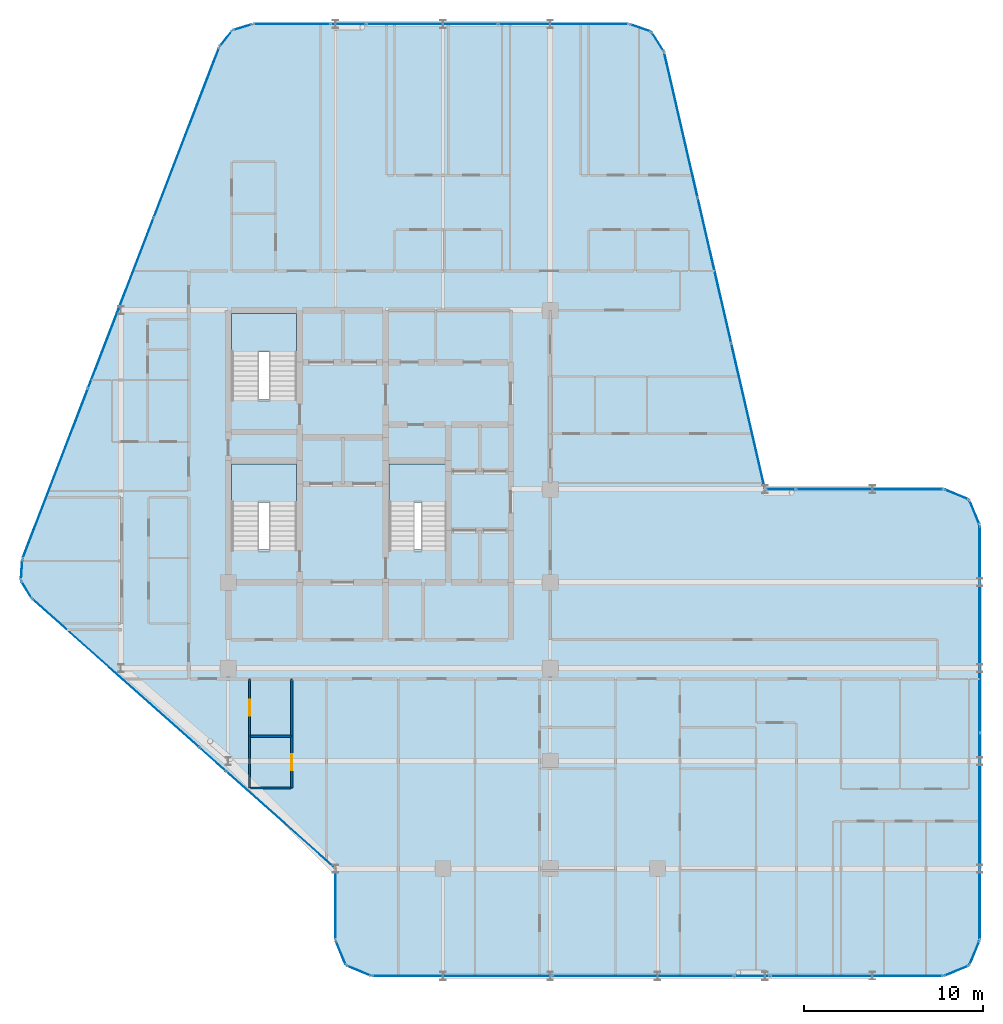
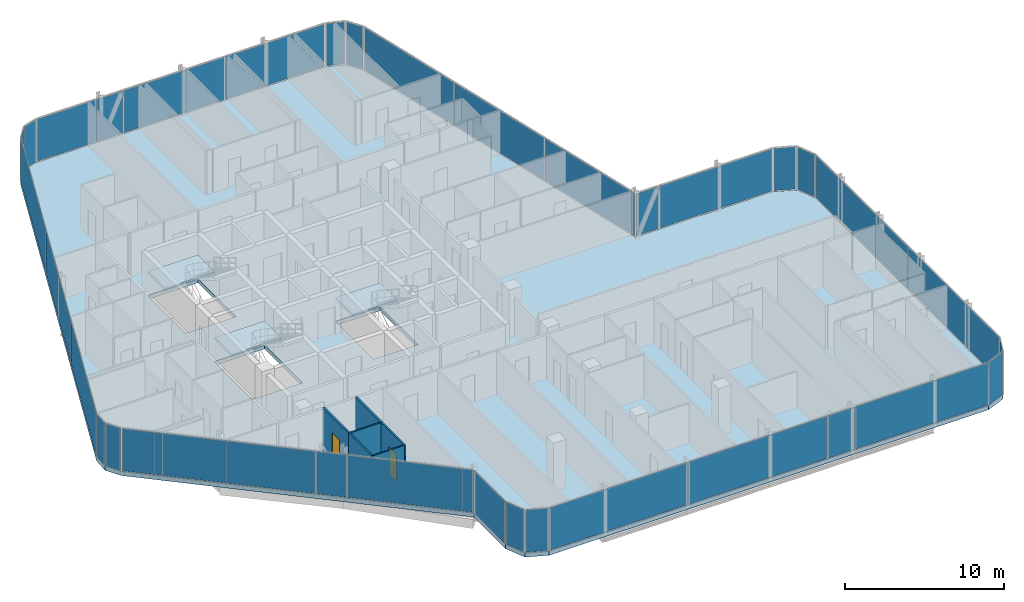
# One storey, part 22 of 29: 34 plates, 6 walls, 4 slabs, 2 doors, 2 openings, 30 elements without a shape of their own.
"""IFC4 building model written with IfcOpenShell, lengths in metres."""

from ifc_helpers import new_model, si_unit, direction, frame, frame_2d, origin, origin_2d, place, context, subcontext, project, spatial, polyline, rectangle, outline, extrude, material, layer, layer_set, type_object, element, fill, aggregate, save


model = new_model("IFC4")

# Units and contexts
model_context = context("Model", 3, precision=1e-05, world=origin(), true_north=direction((0.0, 1.0)))
body_context = subcontext(model_context, "Body", "Model", "MODEL_VIEW")
ifc_project = project(units=[si_unit("LENGTHUNIT", "METRE"), si_unit("AREAUNIT", "SQUARE_METRE"), si_unit("VOLUMEUNIT", "CUBIC_METRE"), si_unit("PLANEANGLEUNIT", "RADIAN"), si_unit("MASSUNIT", "GRAM", prefix="KILO")], contexts=[model_context])

# Site, building, storey
site_placement = place(None, origin())
site = spatial("IfcSite", under=ifc_project, at=site_placement, CompositionType="ELEMENT")
building_placement = place(site_placement, origin())
building = spatial("IfcBuilding", under=site, at=building_placement, Name="Keshet Zoharim Tower", CompositionType="ELEMENT")
storey_placement = place(building_placement, frame((0.0, 0.0, 199.5)))
storey = spatial("IfcBuildingStorey", under=building, at=storey_placement, Name="L49", CompositionType="ELEMENT", Elevation=199.5)

# Curtain wall, plate
ifc_material_1 = material(Name="Aluminium 6063-T6", Category="aluminium")
ifc_layer_1 = layer(ifc_material_1, 0.139892578125)
ifc_layer_set_1 = layer_set([ifc_layer_1], Name="Aluminium 6063-T6")
curtain_wall_type = type_object("IfcCurtainWallType", Name="CW-SYS-05", PredefinedType="NOTDEFINED", material=ifc_layer_set_1)
curtain_wall_1_placement = place(storey_placement, origin())
curtain_wall_1 = element("IfcCurtainWall", 1, at=curtain_wall_1_placement, inside=storey, type_object=curtain_wall_type, Name="L49 Unitised Curtain Wall 01", PredefinedType="NOTDEFINED")
ifc_material_2 = material(Name="Insulated Low-E Clear Glass", Category="glass")
ifc_layer_2 = layer(ifc_material_2, 0.031982421875)
ifc_layer_set_2 = layer_set([ifc_layer_2], Name="Insulated Low-E Clear Glass")
plate_type_1 = type_object("IfcPlateType", Name="CWP-02", PredefinedType="CURTAIN_PANEL", material=ifc_layer_set_2)
plate_1_placement = place(storey_placement, frame((55.70703125, 27.60693359375, 0.070068359375), z_axis=(0.0, 0.0, 1.0), x_axis=(0.92380975372, -0.382851849847, 0.0)))
plate_1 = element("IfcPlate", 2, at=plate_1_placement, type_object=plate_type_1, Name="CW-05 panel 1.1", PredefinedType="CURTAIN_PANEL", context=body_context, shape_type="SweptSolid", body=[
    extrude(rectangle(XDim=1.390625, YDim=0.031982421875, at=origin_2d()), origin(), (0.0, 0.0, 1.0), 3.25),
])
aggregate(curtain_wall_1, [plate_1])

curtain_wall_2_placement = place(storey_placement, origin())
curtain_wall_2 = element("IfcCurtainWall", 3, at=curtain_wall_2_placement, inside=storey, type_object=curtain_wall_type, Name="L49 Unitised Curtain Wall 02", PredefinedType="NOTDEFINED")
plate_2_placement = place(storey_placement, frame((56.70703125, 26.60693359375, 0.070068359375), z_axis=(0.0, 0.0, 1.0), x_axis=(0.382851849847, -0.92380975372, 0.0)))
plate_2 = element("IfcPlate", 4, at=plate_2_placement, type_object=plate_type_1, Name="CW-05 panel 1.1", PredefinedType="CURTAIN_PANEL", context=body_context, shape_type="SweptSolid", body=[
    extrude(rectangle(XDim=1.390625, YDim=0.031982421875, at=origin_2d()), origin(), (0.0, 0.0, 1.0), 3.25),
])
aggregate(curtain_wall_2, [plate_2])

# Curtain wall, plates
curtain_wall_3_placement = place(storey_placement, origin())
curtain_wall_3 = element("IfcCurtainWall", 5, at=curtain_wall_3_placement, inside=storey, type_object=curtain_wall_type, Name="L49 Unitised Curtain Wall 03", PredefinedType="NOTDEFINED")
plate_3_placement = place(storey_placement, frame((57.0, 20.08251953125, 0.070068359375), z_axis=(0.0, 0.0, 1.0), x_axis=(0.0, -1.0, 0.0)))
plate_3 = element("IfcPlate", 6, at=plate_3_placement, type_object=plate_type_1, Name="CW-05 panel 1.1", PredefinedType="CURTAIN_PANEL", context=body_context, shape_type="SweptSolid", body=[
    extrude(rectangle(XDim=11.4951171875, YDim=0.031982421875, at=origin_2d()), origin(), (0.0, 0.0, 1.0), 3.25),
])
plate_4_placement = place(storey_placement, frame((57.0, 8.517578125, 0.070068359375), z_axis=(0.0, 0.0, 1.0), x_axis=(0.0, -1.0, 0.0)))
plate_4 = element("IfcPlate", 7, at=plate_4_placement, type_object=plate_type_1, Name="CW-05 panel 2.1", PredefinedType="CURTAIN_PANEL", context=body_context, shape_type="SweptSolid", body=[
    extrude(rectangle(XDim=11.4951171875, YDim=0.031982421875, at=origin_2d()), origin(), (0.0, 0.0, 1.0), 3.25),
])
aggregate(curtain_wall_3, [plate_3, plate_4])

# Curtain wall, plate
curtain_wall_4_placement = place(storey_placement, origin())
curtain_wall_4 = element("IfcCurtainWall", 8, at=curtain_wall_4_placement, inside=storey, type_object=curtain_wall_type, Name="L49 Unitised Curtain Wall 04", PredefinedType="NOTDEFINED")
plate_5_placement = place(storey_placement, frame((56.70703125, 1.992919921875, 0.070068359375), z_axis=(0.0, 0.0, 1.0), x_axis=(-0.382851849847, -0.92380975372, 0.0)))
plate_5 = element("IfcPlate", 9, at=plate_5_placement, type_object=plate_type_1, Name="CW-05 panel 1.1", PredefinedType="CURTAIN_PANEL", context=body_context, shape_type="SweptSolid", body=[
    extrude(rectangle(XDim=1.390625, YDim=0.031982421875, at=origin_2d()), origin(), (0.0, 0.0, 1.0), 3.25),
])
aggregate(curtain_wall_4, [plate_5])

curtain_wall_5_placement = place(storey_placement, origin())
curtain_wall_5 = element("IfcCurtainWall", 10, at=curtain_wall_5_placement, inside=storey, type_object=curtain_wall_type, Name="L49 Unitised Curtain Wall 05", PredefinedType="NOTDEFINED")
plate_6_placement = place(storey_placement, frame((55.70703125, 0.992919921875, 0.070068359375), z_axis=(0.0, 0.0, 1.0), x_axis=(-0.92380975372, -0.382851849847, 0.0)))
plate_6 = element("IfcPlate", 11, at=plate_6_placement, type_object=plate_type_1, Name="CW-05 panel 1.1", PredefinedType="CURTAIN_PANEL", context=body_context, shape_type="SweptSolid", body=[
    extrude(rectangle(XDim=1.390625, YDim=0.031982421875, at=origin_2d()), origin(), (0.0, 0.0, 1.0), 3.25),
])
aggregate(curtain_wall_5, [plate_6])

curtain_wall_6_placement = place(storey_placement, origin())
curtain_wall_6 = element("IfcCurtainWall", 12, at=curtain_wall_6_placement, inside=storey, type_object=curtain_wall_type, Name="L49 Unitised Curtain Wall 06", PredefinedType="NOTDEFINED")
plate_7_placement = place(storey_placement, frame((50.1240234375, 0.699951171875, 0.070068359375), z_axis=(0.0, 0.0, 1.0), x_axis=(-1.0, 0.0, 0.0)))
plate_7 = element("IfcPlate", 13, at=plate_7_placement, type_object=plate_type_1, Name="CW-05 panel 1.1", PredefinedType="CURTAIN_PANEL", context=body_context, shape_type="SweptSolid", body=[
    extrude(rectangle(XDim=9.61181640625, YDim=0.031982421875, at=origin_2d()), origin(), (0.0, 0.0, 1.0), 3.25),
])
aggregate(curtain_wall_6, [plate_7])

# Curtain wall, plates
curtain_wall_7_placement = place(storey_placement, origin())
curtain_wall_7 = element("IfcCurtainWall", 14, at=curtain_wall_7_placement, inside=storey, type_object=curtain_wall_type, Name="L49 Unitised Curtain Wall 06 Part 3", PredefinedType="NOTDEFINED")
plate_8_placement = place(storey_placement, frame((38.20654296875, 0.699951171875, 0.070068359375), z_axis=(0.0, 0.0, 1.0), x_axis=(-1.0, 0.0, 0.0)))
plate_8 = element("IfcPlate", 15, at=plate_8_placement, type_object=plate_type_1, Name="CW-05 panel 1.1", PredefinedType="CURTAIN_PANEL", context=body_context, shape_type="SweptSolid", body=[
    extrude(rectangle(XDim=10.091064453125, YDim=0.031982421875, at=origin_2d()), origin(), (0.0, 0.0, 1.0), 3.25),
])
plate_9_placement = place(storey_placement, frame((28.08056640625, 0.699951171875, 0.070068359375), z_axis=(0.0, 0.0, 1.0), x_axis=(-1.0, 0.0, 0.0)))
plate_9 = element("IfcPlate", 16, at=plate_9_placement, type_object=plate_type_1, Name="CW-05 panel 2.1", PredefinedType="CURTAIN_PANEL", context=body_context, shape_type="SweptSolid", body=[
    extrude(rectangle(XDim=10.02099609375, YDim=0.031982421875, at=origin_2d()), origin(), (0.0, 0.0, 1.0), 3.25),
])
aggregate(curtain_wall_7, [plate_8, plate_9])

# Curtain wall, plate
curtain_wall_8_placement = place(storey_placement, origin())
curtain_wall_8 = element("IfcCurtainWall", 17, at=curtain_wall_8_placement, inside=storey, type_object=curtain_wall_type, Name="L49 Unitised Curtain Wall 07", PredefinedType="NOTDEFINED")
plate_10_placement = place(storey_placement, frame((22.29296875, 0.992919921875, 0.070068359375), z_axis=(0.0, 0.0, 1.0), x_axis=(-0.92380975372, 0.382851849847, 0.0)))
plate_10 = element("IfcPlate", 18, at=plate_10_placement, type_object=plate_type_1, Name="CW-05 panel 1.1", PredefinedType="CURTAIN_PANEL", context=body_context, shape_type="SweptSolid", body=[
    extrude(rectangle(XDim=1.390625, YDim=0.031982421875, at=origin_2d()), origin(), (0.0, 0.0, 1.0), 3.25),
])
aggregate(curtain_wall_8, [plate_10])

curtain_wall_9_placement = place(storey_placement, origin())
curtain_wall_9 = element("IfcCurtainWall", 19, at=curtain_wall_9_placement, inside=storey, type_object=curtain_wall_type, Name="L49 Unitised Curtain Wall 08", PredefinedType="NOTDEFINED")
plate_11_placement = place(storey_placement, frame((21.29296875, 1.992919921875, 0.070068359375), z_axis=(0.0, 0.0, 1.0), x_axis=(-0.382851849847, 0.92380975372, 0.0)))
plate_11 = element("IfcPlate", 20, at=plate_11_placement, type_object=plate_type_1, Name="CW-05 panel 1.1", PredefinedType="CURTAIN_PANEL", context=body_context, shape_type="SweptSolid", body=[
    extrude(rectangle(XDim=1.390625, YDim=0.031982421875, at=origin_2d()), origin(), (0.0, 0.0, 1.0), 3.25),
])
aggregate(curtain_wall_9, [plate_11])

curtain_wall_10_placement = place(storey_placement, origin())
curtain_wall_10 = element("IfcCurtainWall", 21, at=curtain_wall_10_placement, inside=storey, type_object=curtain_wall_type, Name="L49 Unitised Curtain Wall 09", PredefinedType="NOTDEFINED")
plate_12_placement = place(storey_placement, frame((21.0, 4.699951171875, 0.070068359375), z_axis=(0.0, 0.0, 1.0), x_axis=(0.0, 1.0, 0.0)))
plate_12 = element("IfcPlate", 22, at=plate_12_placement, type_object=plate_type_1, Name="CW-05 panel 1.1", PredefinedType="CURTAIN_PANEL", context=body_context, shape_type="SweptSolid", body=[
    extrude(rectangle(XDim=3.860107421875, YDim=0.031982421875, at=origin_2d()), origin(), (0.0, 0.0, 1.0), 3.25),
])
aggregate(curtain_wall_10, [plate_12])

curtain_wall_11_placement = place(storey_placement, origin())
curtain_wall_11 = element("IfcCurtainWall", 23, at=curtain_wall_11_placement, inside=storey, type_object=curtain_wall_type, Name="L49 Unitised Curtain Wall 10", PredefinedType="NOTDEFINED")
plate_13_placement = place(storey_placement, frame((17.92724609375, 9.431396484375, 0.070068359375), z_axis=(0.0, 0.0, 1.0), x_axis=(-0.74740596379, 0.664367613066, 0.0)))
plate_13 = element("IfcPlate", 24, at=plate_13_placement, type_object=plate_type_1, Name="CW-05 panel 1.1", PredefinedType="CURTAIN_PANEL", context=body_context, shape_type="SweptSolid", body=[
    extrude(rectangle(XDim=8.082763671875, YDim=0.031982421875, at=origin_2d()), origin(), (0.0, 0.0, 1.0), 3.25),
])
aggregate(curtain_wall_11, [plate_13])

curtain_wall_12_placement = place(storey_placement, origin())
curtain_wall_12 = element("IfcCurtainWall", 25, at=curtain_wall_12_placement, inside=storey, type_object=curtain_wall_type, Name="L49 Unitised Curtain Wall 10 Part 3", PredefinedType="NOTDEFINED")
plate_14_placement = place(storey_placement, frame((8.724853515625, 17.611328125, 0.070068359375), z_axis=(0.0, 0.0, 1.0), x_axis=(-0.747406666066, 0.664366823013, 0.0)))
plate_14 = element("IfcPlate", 26, at=plate_14_placement, type_object=plate_type_1, Name="CW-05 panel 1.1", PredefinedType="CURTAIN_PANEL", context=body_context, shape_type="SweptSolid", body=[
    extrude(rectangle(XDim=12.40966796875, YDim=0.031982421875, at=origin_2d()), origin(), (0.0, 0.0, 1.0), 3.25),
])
aggregate(curtain_wall_12, [plate_14])

curtain_wall_13_placement = place(storey_placement, origin())
curtain_wall_13 = element("IfcCurtainWall", 27, at=curtain_wall_13_placement, inside=storey, type_object=curtain_wall_type, Name="L49 Unitised Curtain Wall 11", PredefinedType="NOTDEFINED")
plate_15_placement = place(storey_placement, frame((3.7275390625, 22.291015625, 0.070068359375), z_axis=(0.0, 0.0, 1.0), x_axis=(-0.515604947933, 0.856826433805, 0.0)))
plate_15 = element("IfcPlate", 28, at=plate_15_placement, type_object=plate_type_1, Name="CW-05 panel 1.1", PredefinedType="CURTAIN_PANEL", context=body_context, shape_type="SweptSolid", body=[
    extrude(rectangle(XDim=1.052734375, YDim=0.031982421875, at=origin_2d()), origin(), (0.0, 0.0, 1.0), 3.25),
])
aggregate(curtain_wall_13, [plate_15])

curtain_wall_14_placement = place(storey_placement, origin())
curtain_wall_14 = element("IfcCurtainWall", 29, at=curtain_wall_14_placement, inside=storey, type_object=curtain_wall_type, Name="L49 Unitised Curtain Wall 12", PredefinedType="NOTDEFINED")
plate_16_placement = place(storey_placement, frame((3.45849609375, 23.3974609375, 0.070068359375), z_axis=(0.0, 0.0, 1.0), x_axis=(0.064516859374, 0.997916617186, 0.0)))
plate_16 = element("IfcPlate", 30, at=plate_16_placement, type_object=plate_type_1, Name="CW-05 panel 1.1", PredefinedType="CURTAIN_PANEL", context=body_context, shape_type="SweptSolid", body=[
    extrude(rectangle(XDim=1.053466796875, YDim=0.031982421875, at=origin_2d()), origin(), (0.0, 0.0, 1.0), 3.25),
])
aggregate(curtain_wall_14, [plate_16])

# Curtain wall, plates
curtain_wall_15_placement = place(storey_placement, origin())
curtain_wall_15 = element("IfcCurtainWall", 31, at=curtain_wall_15_placement, inside=storey, type_object=curtain_wall_type, Name="L49 Unitised Curtain Wall 13", PredefinedType="NOTDEFINED")
plate_17_placement = place(storey_placement, frame((5.33837890625, 28.7802734375, 0.070068359375), z_axis=(0.0, 0.0, 1.0), x_axis=(0.358990003907, 0.933341404361, 0.0)))
plate_17 = element("IfcPlate", 32, at=plate_17_placement, type_object=plate_type_1, Name="CW-05 panel 1.1", PredefinedType="CURTAIN_PANEL", context=body_context, shape_type="SweptSolid", body=[
    extrude(rectangle(XDim=10.1181640625, YDim=0.031982421875, at=origin_2d()), origin(), (0.0, 0.0, 1.0), 3.25),
])
plate_18_placement = place(storey_placement, frame((9.001953125, 38.305419921875, 0.070068359375), z_axis=(0.0, 0.0, 1.0), x_axis=(0.358990003907, 0.933341404361, 0.0)))
plate_18 = element("IfcPlate", 33, at=plate_18_placement, type_object=plate_type_1, Name="CW-05 panel 2.1", PredefinedType="CURTAIN_PANEL", context=body_context, shape_type="SweptSolid", body=[
    extrude(rectangle(XDim=10.153076171875, YDim=0.031982421875, at=origin_2d()), origin(), (0.0, 0.0, 1.0), 3.25),
])
plate_19_placement = place(storey_placement, frame((12.665771484375, 47.830810546875, 0.070068359375), z_axis=(0.0, 0.0, 1.0), x_axis=(0.358990003907, 0.933341404361, 0.0)))
plate_19 = element("IfcPlate", 34, at=plate_19_placement, type_object=plate_type_1, Name="CW-05 panel 3.1", PredefinedType="CURTAIN_PANEL", context=body_context, shape_type="SweptSolid", body=[
    extrude(rectangle(XDim=10.1181640625, YDim=0.031982421875, at=origin_2d()), origin(), (0.0, 0.0, 1.0), 3.25),
])
aggregate(curtain_wall_15, [plate_17, plate_18, plate_19])

# Curtain wall, plate
curtain_wall_16_placement = place(storey_placement, origin())
curtain_wall_16 = element("IfcCurtainWall", 35, at=curtain_wall_16_placement, inside=storey, type_object=curtain_wall_type, Name="L49 Unitised Curtain Wall 14", PredefinedType="NOTDEFINED")
plate_20_placement = place(storey_placement, frame((14.8740234375, 53.08349609375, 0.070068359375), z_axis=(0.0, 0.0, 1.0), x_axis=(0.619124525989, 0.785292825205, 0.0)))
plate_20 = element("IfcPlate", 36, at=plate_20_placement, type_object=plate_type_1, Name="CW-05 panel 1.1", PredefinedType="CURTAIN_PANEL", context=body_context, shape_type="SweptSolid", body=[
    extrude(rectangle(XDim=1.045654296875, YDim=0.031982421875, at=origin_2d()), origin(), (0.0, 0.0, 1.0), 3.25),
])
aggregate(curtain_wall_16, [plate_20])

curtain_wall_17_placement = place(storey_placement, origin())
curtain_wall_17 = element("IfcCurtainWall", 37, at=curtain_wall_17_placement, inside=storey, type_object=curtain_wall_type, Name="L49 Unitised Curtain Wall 15", PredefinedType="NOTDEFINED")
plate_21_placement = place(storey_placement, frame((15.8076171875, 53.724609375, 0.070068359375), z_axis=(0.0, 0.0, 1.0), x_axis=(0.955212151288, 0.295921857984, 0.0)))
plate_21 = element("IfcPlate", 38, at=plate_21_placement, type_object=plate_type_1, Name="CW-05 panel 1.1", PredefinedType="CURTAIN_PANEL", context=body_context, shape_type="SweptSolid", body=[
    extrude(rectangle(XDim=1.046142578125, YDim=0.031982421875, at=origin_2d()), origin(), (0.0, 0.0, 1.0), 3.25),
])
aggregate(curtain_wall_17, [plate_21])

curtain_wall_18_placement = place(storey_placement, origin())
curtain_wall_18 = element("IfcCurtainWall", 39, at=curtain_wall_18_placement, inside=storey, type_object=curtain_wall_type, Name="L49 Unitised Curtain Wall 16", PredefinedType="NOTDEFINED")
plate_22_placement = place(storey_placement, frame((18.56298828125, 53.89990234375, 0.070068359375), z_axis=(0.0, 0.0, 1.0), x_axis=(1.0, 0.0, 0.0)))
plate_22 = element("IfcPlate", 40, at=plate_22_placement, type_object=plate_type_1, Name="CW-05 panel 1.1", PredefinedType="CURTAIN_PANEL", context=body_context, shape_type="SweptSolid", body=[
    extrude(rectangle(XDim=4.23779296875, YDim=0.031982421875, at=origin_2d()), origin(), (0.0, 0.0, 1.0), 3.25),
])
aggregate(curtain_wall_18, [plate_22])

# Curtain wall, plates
curtain_wall_19_placement = place(storey_placement, origin())
curtain_wall_19 = element("IfcCurtainWall", 41, at=curtain_wall_19_placement, inside=storey, type_object=curtain_wall_type, Name="L49 Unitised Curtain Wall 16 Part 3", PredefinedType="NOTDEFINED")
plate_23_placement = place(storey_placement, frame((26.395751953125, 53.89990234375, 0.070068359375), z_axis=(0.0, 0.0, 1.0), x_axis=(1.0, 0.0, 0.0)))
plate_23 = element("IfcPlate", 42, at=plate_23_placement, type_object=plate_type_1, Name="CW-05 panel 1.1", PredefinedType="CURTAIN_PANEL", context=body_context, shape_type="SweptSolid", body=[
    extrude(rectangle(XDim=7.29541015625, YDim=0.031982421875, at=origin_2d()), origin(), (0.0, 0.0, 1.0), 3.25),
])
plate_24_placement = place(storey_placement, frame((33.726318359375, 53.89990234375, 0.070068359375), z_axis=(0.0, 0.0, 1.0), x_axis=(1.0, 0.0, 0.0)))
plate_24 = element("IfcPlate", 43, at=plate_24_placement, type_object=plate_type_1, Name="CW-05 panel 2.1", PredefinedType="CURTAIN_PANEL", context=body_context, shape_type="SweptSolid", body=[
    extrude(rectangle(XDim=7.225341796875, YDim=0.031982421875, at=origin_2d()), origin(), (0.0, 0.0, 1.0), 3.25),
])
aggregate(curtain_wall_19, [plate_23, plate_24])

# Curtain wall, plate
curtain_wall_20_placement = place(storey_placement, origin())
curtain_wall_20 = element("IfcCurtainWall", 44, at=curtain_wall_20_placement, inside=storey, type_object=curtain_wall_type, Name="L49 Unitised Curtain Wall 17", PredefinedType="NOTDEFINED")
plate_25_placement = place(storey_placement, frame((38.031494140625, 53.6826171875, 0.070068359375), z_axis=(0.0, 0.0, 1.0), x_axis=(0.944035542119, -0.329843743636, 0.0)))
plate_25 = element("IfcPlate", 45, at=plate_25_placement, type_object=plate_type_1, Name="CW-05 panel 1.1", PredefinedType="CURTAIN_PANEL", context=body_context, shape_type="SweptSolid", body=[
    extrude(rectangle(XDim=1.1787109375, YDim=0.031982421875, at=origin_2d()), origin(), (0.0, 0.0, 1.0), 3.25),
])
aggregate(curtain_wall_20, [plate_25])

curtain_wall_21_placement = place(storey_placement, origin())
curtain_wall_21 = element("IfcCurtainWall", 46, at=curtain_wall_21_placement, inside=storey, type_object=curtain_wall_type, Name="L49 Unitised Curtain Wall 18", PredefinedType="NOTDEFINED")
plate_26_placement = place(storey_placement, frame((39.006103515625, 52.907470703125, 0.070068359375), z_axis=(0.0, 0.0, 1.0), x_axis=(0.533878858502, -0.845560976183, 0.0)))
plate_26 = element("IfcPlate", 47, at=plate_26_placement, type_object=plate_type_1, Name="CW-05 panel 1.1", PredefinedType="CURTAIN_PANEL", context=body_context, shape_type="SweptSolid", body=[
    extrude(rectangle(XDim=1.1787109375, YDim=0.031982421875, at=origin_2d()), origin(), (0.0, 0.0, 1.0), 3.25),
])
aggregate(curtain_wall_21, [plate_26])

# Curtain wall, plates
curtain_wall_22_placement = place(storey_placement, origin())
curtain_wall_22 = element("IfcCurtainWall", 48, at=curtain_wall_22_placement, inside=storey, type_object=curtain_wall_type, Name="L49 Unitised Curtain Wall 19", PredefinedType="NOTDEFINED")
plate_27_placement = place(storey_placement, frame((40.30224609375, 48.258056640625, 0.070068359375), z_axis=(0.0, 0.0, 1.0), x_axis=(0.224847864369, -0.974393882313, 0.0)))
plate_27 = element("IfcPlate", 49, at=plate_27_placement, type_object=plate_type_1, Name="CW-05 panel 1.1", PredefinedType="CURTAIN_PANEL", context=body_context, shape_type="SweptSolid", body=[
    extrude(rectangle(XDim=8.25927734375, YDim=0.031982421875, at=origin_2d()), origin(), (0.0, 0.0, 1.0), 3.25),
])
plate_28_placement = place(storey_placement, frame((42.178955078125, 40.125, 0.070068359375), z_axis=(0.0, 0.0, 1.0), x_axis=(0.224847864369, -0.974393882313, 0.0)))
plate_28 = element("IfcPlate", 50, at=plate_28_placement, type_object=plate_type_1, Name="CW-05 panel 2.1", PredefinedType="CURTAIN_PANEL", context=body_context, shape_type="SweptSolid", body=[
    extrude(rectangle(XDim=8.294189453125, YDim=0.031982421875, at=origin_2d()), origin(), (0.0, 0.0, 1.0), 3.25),
])
plate_29_placement = place(storey_placement, frame((44.0556640625, 31.991943359375, 0.070068359375), z_axis=(0.0, 0.0, 1.0), x_axis=(0.224847864369, -0.974393882313, 0.0)))
plate_29 = element("IfcPlate", 51, at=plate_29_placement, type_object=plate_type_1, Name="CW-05 panel 3.1", PredefinedType="CURTAIN_PANEL", context=body_context, shape_type="SweptSolid", body=[
    extrude(rectangle(XDim=8.25927734375, YDim=0.031982421875, at=origin_2d()), origin(), (0.0, 0.0, 1.0), 3.25),
])
aggregate(curtain_wall_22, [plate_27, plate_28, plate_29])

# Curtain wall, plate
curtain_wall_23_placement = place(storey_placement, origin())
curtain_wall_23 = element("IfcCurtainWall", 52, at=curtain_wall_23_placement, inside=storey, type_object=curtain_wall_type, Name="L49 Unitised Curtain Wall 20 Part 2", PredefinedType="NOTDEFINED")
plate_30_placement = place(storey_placement, frame((50.839111328125, 27.89990234375, 0.070068359375), z_axis=(0.0, 0.0, 1.0), x_axis=(1.0, 0.0, 0.0)))
plate_30 = element("IfcPlate", 53, at=plate_30_placement, type_object=plate_type_1, Name="CW-05 panel 1.1", PredefinedType="CURTAIN_PANEL", context=body_context, shape_type="SweptSolid", body=[
    extrude(rectangle(XDim=8.181884765625, YDim=0.031982421875, at=origin_2d()), origin(), (0.0, 0.0, 1.0), 3.25),
])
aggregate(curtain_wall_23, [plate_30])

curtain_wall_24_placement = place(storey_placement, origin())
curtain_wall_24 = element("IfcCurtainWall", 54, at=curtain_wall_24_placement, inside=storey, type_object=curtain_wall_type, Name="L49 Unitised Curtain Wall 06 Part 2", PredefinedType="NOTDEFINED")
ifc_material_3 = material(Name="Insulated Aluminium Spandrel Panel", Category="aluminium")
ifc_layer_3 = layer(ifc_material_3, 0.031982421875)
ifc_layer_set_3 = layer_set([ifc_layer_3], Name="Insulated Aluminium Spandrel Panel")
plate_type_2 = type_object("IfcPlateType", Name="CWP-05", PredefinedType="CURTAIN_PANEL", material=ifc_layer_set_3)
plate_31_placement = place(storey_placement, frame((44.284912109375, 0.699951171875, 0.070068359375), z_axis=(0.0, 0.0, 1.0), x_axis=(-1.0, 0.0, 0.0)))
plate_31 = element("IfcPlate", 55, at=plate_31_placement, type_object=plate_type_2, Name="CW-05 spandrel panel 1.1", PredefinedType="CURTAIN_PANEL", context=body_context, shape_type="SweptSolid", body=[
    extrude(rectangle(XDim=1.92626953125, YDim=0.031982421875, at=origin_2d()), origin(), (0.0, 0.0, 1.0), 3.25),
])
aggregate(curtain_wall_24, [plate_31])

curtain_wall_25_placement = place(storey_placement, origin())
curtain_wall_25 = element("IfcCurtainWall", 56, at=curtain_wall_25_placement, inside=storey, type_object=curtain_wall_type, Name="L49 Unitised Curtain Wall 10 Part 2", PredefinedType="NOTDEFINED")
plate_32_placement = place(storey_placement, frame((14.134521484375, 12.802734375, 0.070068359375), z_axis=(0.0, 0.0, 1.0), x_axis=(-0.747439721297, 0.664329634314, 0.0)))
plate_32 = element("IfcPlate", 57, at=plate_32_placement, type_object=plate_type_2, Name="CW-05 spandrel panel 1.1", PredefinedType="CURTAIN_PANEL", context=body_context, shape_type="SweptSolid", body=[
    extrude(rectangle(XDim=1.92626953125, YDim=0.031982421875, at=origin_2d()), origin(), (0.0, 0.0, 1.0), 3.25),
])
aggregate(curtain_wall_25, [plate_32])

curtain_wall_26_placement = place(storey_placement, origin())
curtain_wall_26 = element("IfcCurtainWall", 58, at=curtain_wall_26_placement, inside=storey, type_object=curtain_wall_type, Name="L49 Unitised Curtain Wall 16 Part 2", PredefinedType="NOTDEFINED")
plate_33_placement = place(storey_placement, frame((21.715087890625, 53.89990234375, 0.070068359375), z_axis=(0.0, 0.0, 1.0), x_axis=(1.0, 0.0, 0.0)))
plate_33 = element("IfcPlate", 59, at=plate_33_placement, type_object=plate_type_2, Name="CW-05 spandrel panel 1.1", PredefinedType="CURTAIN_PANEL", context=body_context, shape_type="SweptSolid", body=[
    extrude(rectangle(XDim=1.92626953125, YDim=0.031982421875, at=origin_2d()), origin(), (0.0, 0.0, 1.0), 3.25),
])
aggregate(curtain_wall_26, [plate_33])

curtain_wall_27_placement = place(storey_placement, origin())
curtain_wall_27 = element("IfcCurtainWall", 60, at=curtain_wall_27_placement, inside=storey, type_object=curtain_wall_type, Name="L49 Unitised Curtain Wall 20", PredefinedType="NOTDEFINED")
plate_34_placement = place(storey_placement, frame((45.8740234375, 27.89990234375, 0.070068359375), z_axis=(0.0, 0.0, 1.0), x_axis=(1.0, 0.0, 0.0)))
plate_34 = element("IfcPlate", 61, at=plate_34_placement, type_object=plate_type_2, Name="CW-05 spandrel panel 1.1", PredefinedType="CURTAIN_PANEL", context=body_context, shape_type="SweptSolid", body=[
    extrude(rectangle(XDim=1.608154296875, YDim=0.031982421875, at=origin_2d()), origin(), (0.0, 0.0, 1.0), 3.25),
])
aggregate(curtain_wall_27, [plate_34])

# Stair, slab
ifc_material_4 = material(Name="Concrete C50/60", Category="concrete")
stair_type = type_object("IfcStairType", Name="STR-EXIT-135", PredefinedType="HALF_TURN_STAIR", material=ifc_material_4)
stair_1_placement = place(storey_placement, origin())
stair_1 = element("IfcStair", 62, at=stair_1_placement, inside=storey, type_object=stair_type, Name="L49 Enclosed Exit Stair ST-01", PredefinedType="HALF_TURN_STAIR")
ifc_layer_4 = layer(ifc_material_4, 0.199951171875)
ifc_layer_set_4 = layer_set([ifc_layer_4], Name="Concrete C50/60")
slab_type_1 = type_object("IfcSlabType", Name="SLB-LND-200", PredefinedType="LANDING", material=ifc_layer_set_4)
slab_1_placement = place(storey_placement, frame((0.0, 0.0, 1.64990234375)))
slab_1 = element("IfcSlab", 63, at=slab_1_placement, type_object=slab_type_1, Name="ST-01 landing 1", PredefinedType="LANDING", context=body_context, shape_type="SweptSolid", body=[
    extrude(outline(polyline([(15.179931640625, 27.159912109375), (18.820068359375, 27.159912109375), (18.820068359375, 29.320068359375), (15.179931640625, 29.320068359375), (15.179931640625, 27.159912109375)])), origin(), (0.0, 0.0, 1.0), 0.2001953125),
])
aggregate(stair_1, [slab_1])

stair_2_placement = place(storey_placement, origin())
stair_2 = element("IfcStair", 64, at=stair_2_placement, inside=storey, type_object=stair_type, Name="L49 Enclosed Exit Stair ST-02", PredefinedType="HALF_TURN_STAIR")
slab_2_placement = place(storey_placement, frame((0.0, 0.0, 1.64990234375)))
slab_2 = element("IfcSlab", 65, at=slab_2_placement, type_object=slab_type_1, Name="ST-02 landing 1", PredefinedType="LANDING", context=body_context, shape_type="SweptSolid", body=[
    extrude(outline(polyline([(15.179931640625, 35.56005859375), (18.820068359375, 35.56005859375), (18.820068359375, 37.719970703125), (15.179931640625, 37.719970703125), (15.179931640625, 35.56005859375)])), origin(), (0.0, 0.0, 1.0), 0.2001953125),
])
aggregate(stair_2, [slab_2])

stair_3_placement = place(storey_placement, origin())
stair_3 = element("IfcStair", 66, at=stair_3_placement, inside=storey, type_object=stair_type, Name="L49 Enclosed Exit Stair ST-03", PredefinedType="HALF_TURN_STAIR")
slab_3_placement = place(storey_placement, frame((0.0, 0.0, 1.64990234375)))
slab_3 = element("IfcSlab", 67, at=slab_3_placement, type_object=slab_type_1, Name="ST-03 landing 1", PredefinedType="LANDING", context=body_context, shape_type="SweptSolid", body=[
    extrude(outline(polyline([(23.97998046875, 27.159912109375), (27.219970703125, 27.159912109375), (27.219970703125, 29.320068359375), (23.97998046875, 29.320068359375), (23.97998046875, 27.159912109375)])), origin(), (0.0, 0.0, 1.0), 0.2001953125),
])
aggregate(stair_3, [slab_3])

# Slab
ifc_layer_5 = layer(ifc_material_4, 0.31005859375)
ifc_layer_set_5 = layer_set([ifc_layer_5], Name="Concrete C50/60")
slab_type_2 = type_object("IfcSlabType", Name="SLB-UPP-240", PredefinedType="FLOOR", material=ifc_layer_set_5)
slab_4_placement = place(storey_placement, frame((0.0, 0.0, -0.31005859375)))
element("IfcSlab", 68, at=slab_4_placement, inside=storey, type_object=slab_type_2, Name="L49 Structural Floor Slab 1", PredefinedType="FLOOR", context=body_context, shape_type="SweptSolid", body=[
    extrude(outline(polyline([(55.0, 27.89990234375), (56.4140625, 27.31396484375), (57.0, 25.89990234375), (57.0, 2.699951171875), (56.4140625, 1.285888671875), (55.0, 0.699951171875), (23.0, 0.699951171875), (21.5859375, 1.285888671875), (21.0, 2.699951171875), (21.0, 6.699951171875), (4.034912109375, 21.780029296875), (3.419921875, 22.802001953125), (3.4970703125, 23.992919921875), (14.507080078125, 52.617919921875), (15.240966796875, 53.549072265625), (16.3740234375, 53.89990234375), (37.408935546875, 53.89990234375), (38.654052734375, 53.465087890625), (39.35791015625, 52.35009765625), (45.0, 27.89990234375), (55.0, 27.89990234375)]), holes=[polyline([(15.179931640625, 24.52001953125), (18.820068359375, 24.52001953125), (18.820068359375, 29.320068359375), (15.179931640625, 29.320068359375), (15.179931640625, 24.52001953125)]), polyline([(15.179931640625, 32.919921875), (18.820068359375, 32.919921875), (18.820068359375, 37.719970703125), (15.179931640625, 37.719970703125), (15.179931640625, 32.919921875)]), polyline([(23.97998046875, 24.52001953125), (27.219970703125, 24.52001953125), (27.219970703125, 29.320068359375), (23.97998046875, 29.320068359375), (23.97998046875, 24.52001953125)])]), origin(), (0.0, 0.0, 1.0), 0.31005859375),
])

# Wall, opening, door
ifc_material_5 = material(Name="Gypsum Plasterboard", Category="gypsum")
ifc_layer_6 = layer(ifc_material_5, 0.1201171875)
ifc_layer_set_6 = layer_set([ifc_layer_6], Name="Gypsum Plasterboard")
wall_type_1 = type_object("IfcWallType", Name="WL-PART-120", PredefinedType="PARTITIONING", material=ifc_layer_set_6)
wall_1_placement = place(storey_placement, frame((16.199951171875, 14.10009765625, 0.0), z_axis=(0.0, 0.0, 1.0), x_axis=(0.0, 1.0, 0.0)))
wall_1 = element("IfcWall", 69, at=wall_1_placement, inside=storey, type_object=wall_type_1, Name="L49 Interior Wall 023", PredefinedType="PARTITIONING", context=body_context, shape_type="SweptSolid", body=[
    extrude(rectangle(XDim=3.199951171875, YDim=0.1201171875, at=frame_2d((1.60009765625, 0.0))), origin(), (0.0, 0.0, 1.0), 3.389892578125),
])
opening_1_placement = place(wall_1_placement, frame((1.14990234375, 0.0, 0.0)))
opening_1 = element("IfcOpeningElement", 70, at=opening_1_placement, cuts=wall_1, Name="Opening D-IN90", PredefinedType="OPENING", context=body_context, shape_type="SweptSolid", body=[
    extrude(rectangle(XDim=0.89990234375, YDim=2.14990234375, at=frame_2d((0.449951171875, 1.074951171875))), frame((0.0, 0.070068359375, 0.0), z_axis=(0.0, -1.0, 0.0), x_axis=(1.0, 0.0, 0.0)), (0.0, 0.0, 1.0), 0.14013671875),
])
ifc_material_6 = material(Name="Hardwood Timber", Category="wood")
door_type_1 = type_object("IfcDoorType", Name="DR-INT-090", OperationType="NOTDEFINED", PredefinedType="DOOR", material=ifc_material_6)
door_1_placement = place(opening_1_placement, origin())
door_1 = element("IfcDoor", 71, at=door_1_placement, inside=storey, type_object=door_type_1, Name="Apartment 4901 Kitchenette Door", OperationType="SINGLE_SWING_LEFT", OverallHeight=2.14990234375, OverallWidth=0.89990234375, PredefinedType="DOOR", context=body_context, shape_type="SweptSolid", body=[
    extrude(rectangle(XDim=0.89990234375, YDim=2.14990234375, at=frame_2d((0.449951171875, 1.074951171875))), frame((0.0, 0.02490234375, 0.0), z_axis=(0.0, -1.0, 0.0), x_axis=(1.0, 0.0, 0.0)), (0.0, 0.0, 1.0), 0.050048828125),
])
fill(opening_1, door_1)

# Walls
wall_2_placement = place(storey_placement, frame((18.550048828125, 14.10009765625, 0.0), z_axis=(0.0, 0.0, 1.0), x_axis=(0.0, 1.0, 0.0)))
element("IfcWall", 72, at=wall_2_placement, inside=storey, type_object=wall_type_1, Name="L49 Interior Wall 027", PredefinedType="PARTITIONING", context=body_context, shape_type="SweptSolid", body=[
    extrude(rectangle(XDim=3.199951171875, YDim=0.1201171875, at=frame_2d((1.60009765625, 0.0))), origin(), (0.0, 0.0, 1.0), 3.389892578125),
])
ifc_layer_7 = layer(ifc_material_5, 0.1201171875)
ifc_layer_set_7 = layer_set([ifc_layer_7], Name="Gypsum Plasterboard")
wall_type_2 = type_object("IfcWallType", Name="WL-WET-120", PredefinedType="PARTITIONING", material=ifc_layer_set_7)
wall_3_placement = place(storey_placement, frame((16.199951171875, 11.199951171875, 0.0), z_axis=(0.0, 0.0, 1.0), x_axis=(0.0, 1.0, 0.0)))
element("IfcWall", 73, at=wall_3_placement, inside=storey, type_object=wall_type_2, Name="L49 Interior Wall 022", PredefinedType="PARTITIONING", context=body_context, shape_type="SweptSolid", body=[
    extrude(rectangle(XDim=2.900146484375, YDim=0.1201171875, at=frame_2d((1.4501953125, 0.0))), origin(), (0.0, 0.0, 1.0), 3.389892578125),
])

# Wall, opening, door
wall_4_placement = place(storey_placement, frame((18.550048828125, 11.199951171875, 0.0), z_axis=(0.0, 0.0, 1.0), x_axis=(0.0, 1.0, 0.0)))
wall_4 = element("IfcWall", 74, at=wall_4_placement, inside=storey, type_object=wall_type_2, Name="L49 Interior Wall 026", PredefinedType="PARTITIONING", context=body_context, shape_type="SweptSolid", body=[
    extrude(rectangle(XDim=2.900146484375, YDim=0.1201171875, at=frame_2d((1.4501953125, 0.0))), origin(), (0.0, 0.0, 1.0), 3.389892578125),
])
opening_2_placement = place(wall_4_placement, frame((1.0, 0.0, 0.0)))
opening_2 = element("IfcOpeningElement", 75, at=opening_2_placement, cuts=wall_4, Name="Opening D-WT90", PredefinedType="OPENING", context=body_context, shape_type="SweptSolid", body=[
    extrude(rectangle(XDim=0.89990234375, YDim=2.10009765625, at=frame_2d((0.449951171875, 1.050048828125))), frame((0.0, 0.070068359375, 0.0), z_axis=(0.0, -1.0, 0.0), x_axis=(1.0, 0.0, 0.0)), (0.0, 0.0, 1.0), 0.14013671875),
])
door_type_2 = type_object("IfcDoorType", Name="DR-WET-090", OperationType="NOTDEFINED", PredefinedType="DOOR", material=ifc_material_6)
door_2_placement = place(opening_2_placement, origin())
door_2 = element("IfcDoor", 76, at=door_2_placement, inside=storey, type_object=door_type_2, Name="Apartment 4901 Bathroom Door", OperationType="SINGLE_SWING_LEFT", OverallHeight=2.10009765625, OverallWidth=0.89990234375, PredefinedType="DOOR", context=body_context, shape_type="SweptSolid", body=[
    extrude(rectangle(XDim=0.89990234375, YDim=2.10009765625, at=frame_2d((0.449951171875, 1.050048828125))), frame((0.0, 0.02490234375, 0.0), z_axis=(0.0, -1.0, 0.0), x_axis=(1.0, 0.0, 0.0)), (0.0, 0.0, 1.0), 0.050048828125),
])
fill(opening_2, door_2)

# Walls
for number, where, z_axis, x_axis, name in (
    (77, (16.2451171875, 11.199951171875, 0.0), (0.0, 0.0, 1.0), (1.0, 0.0, 0.0), "L49 Interior Wall 108"),
    (78, (16.2451171875, 14.10009765625, 0.0), (0.0, 0.0, 1.0), (1.0, 0.0, 0.0), "L49 Interior Wall 111"),
):
    element("IfcWall", number, at=place(storey_placement, frame(where, z_axis=z_axis, x_axis=x_axis)), inside=storey, type_object=wall_type_2, Name=name, PredefinedType="PARTITIONING", context=body_context, shape_type="SweptSolid", body=[
        extrude(rectangle(XDim=2.259765625, YDim=0.1201171875, at=frame_2d((1.1298828125, 0.0))), origin(), (0.0, 0.0, 1.0), 3.389892578125),
    ])

save(model, "model.ifc")
